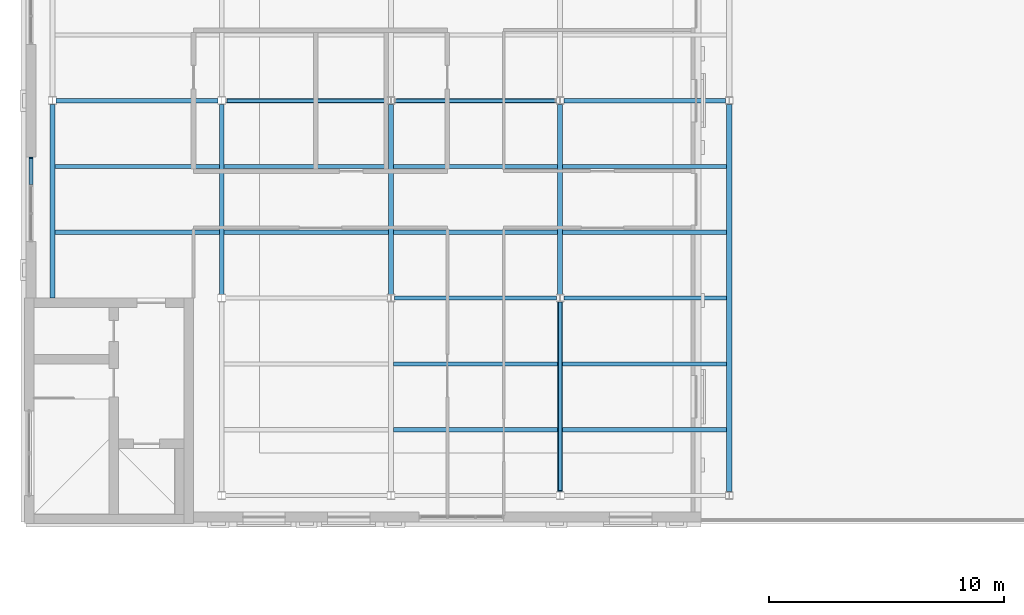
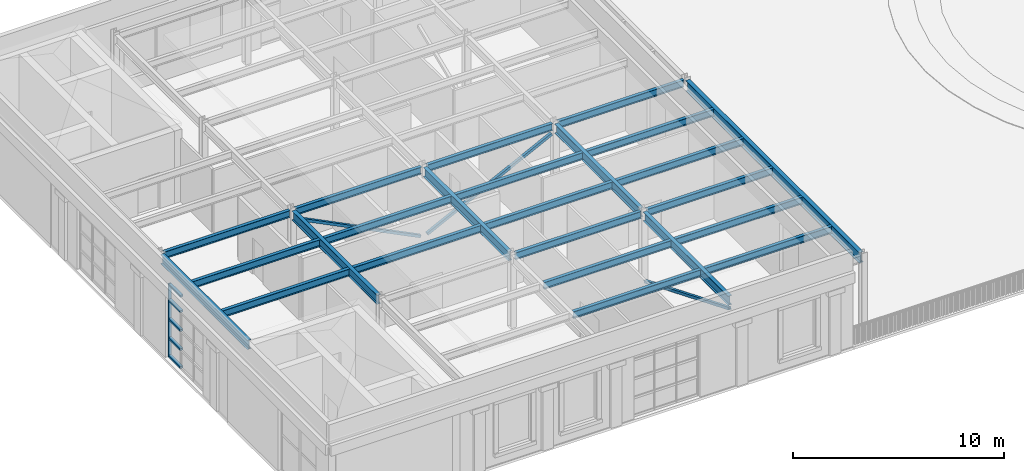
# One storey, part 4 of 127: 24 beams, 9 members, 1 element without a shape of its own.
"""IFC4 building model written with IfcOpenShell, lengths in metres."""

from ifc_helpers import new_model, si_unit, direction, frame, origin, origin_2d, place, context, subcontext, project, spatial, rectangle, hollow_rectangle, i_section, extrude, material, layer, layer_set, material_profile, profile_set, type_object, element, aggregate, save


model = new_model("IFC4")

# Units and contexts
model_context = context("Model", 3, precision=1e-05, world=origin(), true_north=direction((0.0, 1.0)))
body_context = subcontext(model_context, "Body", "Model", "MODEL_VIEW")
ifc_project = project(units=[si_unit("LENGTHUNIT", "METRE"), si_unit("AREAUNIT", "SQUARE_METRE"), si_unit("VOLUMEUNIT", "CUBIC_METRE"), si_unit("PLANEANGLEUNIT", "RADIAN"), si_unit("MASSUNIT", "GRAM", prefix="KILO")], contexts=[model_context])

# Site, building, storey
site_placement = place(None, origin())
site = spatial("IfcSite", under=ifc_project, at=site_placement, CompositionType="ELEMENT")
building_placement = place(site_placement, origin())
building = spatial("IfcBuilding", under=site, at=building_placement, Name="Verrick Yard Athletic Hall", CompositionType="ELEMENT")
storey_placement = place(building_placement, frame((0.0, 0.0, 14.0)))
storey = spatial("IfcBuildingStorey", under=building, at=storey_placement, Name="L03", CompositionType="ELEMENT", Elevation=14.0)

# Curtain wall, members
ifc_material_1 = material(Name="Anodised aluminium", Category="aluminium")
ifc_layer = layer(ifc_material_1, 0.199951171875)
ifc_layer_set = layer_set([ifc_layer], Name="Front glazing")
curtain_wall_type = type_object("IfcCurtainWallType", Name="Front glazing", PredefinedType="NOTDEFINED", material=ifc_layer_set)
curtain_wall_placement = place(storey_placement, origin())
curtain_wall = element("IfcCurtainWall", 1, at=curtain_wall_placement, inside=storey, type_object=curtain_wall_type, Name="ENVB-WW-L03-CW300", PredefinedType="NOTDEFINED")
ifc_material_profile_1 = material_profile(ifc_material_1, rectangle(XDim=0.159912109375, YDim=0.06005859375, at=origin_2d()), Name="CW mullion 60x160")
ifc_profile_set_1 = profile_set([ifc_material_profile_1], Name="Anodised aluminium")
member_type_1 = type_object("IfcMemberType", Name="Front glazing mullion 60x160", PredefinedType="MULLION", material=ifc_profile_set_1)
member_1_placement = place(storey_placement, frame((10.28125, 33.570068359375, 0.0), z_axis=(0.0, 0.0, 1.0), x_axis=(-1.0, 0.0, 0.0)))
member_1 = element("IfcMember", 2, at=member_1_placement, type_object=member_type_1, Name="ENVB-WW-L03-CW300/M03", PredefinedType="MULLION", context=body_context, shape_type="SweptSolid", body=[
    extrude(rectangle(XDim=0.159912109375, YDim=0.06005859375, at=origin_2d()), origin(), (0.0, 0.0, 1.0), 4.25),
])
ifc_material_profile_2 = material_profile(ifc_material_1, rectangle(XDim=0.159912109375, YDim=0.1201171875, at=origin_2d()), Name="CW transom 160x120")
ifc_profile_set_2 = profile_set([ifc_material_profile_2], Name="Anodised aluminium")
member_type_2 = type_object("IfcMemberType", Name="Front glazing transom 160x120", PredefinedType="USERDEFINED", material=ifc_profile_set_2)
member_2_placement = place(storey_placement, frame((10.28125, 32.429931640625, 0.06005859375), z_axis=(0.0, 1.0, 0.0), x_axis=(-1.0, 0.0, 0.0)))
member_2 = element("IfcMember", 3, at=member_2_placement, type_object=member_type_2, Name="ENVB-WW-L03-CW300/T02-00", ObjectType="TRANSOM", PredefinedType="USERDEFINED", context=body_context, shape_type="SweptSolid", body=[
    extrude(rectangle(XDim=0.159912109375, YDim=0.1201171875, at=origin_2d()), origin(), (0.0, 0.0, 1.0), 1.110107421875),
])
member_3_placement = place(storey_placement, frame((10.28125, 32.429931640625, 1.10009765625), z_axis=(0.0, 1.0, 0.0), x_axis=(-1.0, 0.0, 0.0)))
member_3 = element("IfcMember", 4, at=member_3_placement, type_object=member_type_2, Name="ENVB-WW-L03-CW300/T02-01", ObjectType="TRANSOM", PredefinedType="USERDEFINED", context=body_context, shape_type="SweptSolid", body=[
    extrude(rectangle(XDim=0.159912109375, YDim=0.1201171875, at=origin_2d()), origin(), (0.0, 0.0, 1.0), 1.110107421875),
])
member_4_placement = place(storey_placement, frame((10.28125, 32.429931640625, 2.199951171875), z_axis=(0.0, 1.0, 0.0), x_axis=(-1.0, 0.0, 0.0)))
member_4 = element("IfcMember", 5, at=member_4_placement, type_object=member_type_2, Name="ENVB-WW-L03-CW300/T02-02", ObjectType="TRANSOM", PredefinedType="USERDEFINED", context=body_context, shape_type="SweptSolid", body=[
    extrude(rectangle(XDim=0.159912109375, YDim=0.1201171875, at=origin_2d()), origin(), (0.0, 0.0, 1.0), 1.110107421875),
])
member_5_placement = place(storey_placement, frame((10.28125, 32.429931640625, 3.300048828125), z_axis=(0.0, 1.0, 0.0), x_axis=(-1.0, 0.0, 0.0)))
member_5 = element("IfcMember", 6, at=member_5_placement, type_object=member_type_2, Name="ENVB-WW-L03-CW300/T02-03", ObjectType="TRANSOM", PredefinedType="USERDEFINED", context=body_context, shape_type="SweptSolid", body=[
    extrude(rectangle(XDim=0.159912109375, YDim=0.1201171875, at=origin_2d()), origin(), (0.0, 0.0, 1.0), 1.110107421875),
])
member_6_placement = place(storey_placement, frame((10.28125, 32.429931640625, 4.18994140625), z_axis=(0.0, 1.0, 0.0), x_axis=(-1.0, 0.0, 0.0)))
member_6 = element("IfcMember", 7, at=member_6_placement, type_object=member_type_2, Name="ENVB-WW-L03-CW300/T02-04", ObjectType="TRANSOM", PredefinedType="USERDEFINED", context=body_context, shape_type="SweptSolid", body=[
    extrude(rectangle(XDim=0.159912109375, YDim=0.1201171875, at=origin_2d()), origin(), (0.0, 0.0, 1.0), 1.110107421875),
])
aggregate(curtain_wall, [member_1, member_2, member_3, member_4, member_5, member_6])

# Members
ifc_material_2 = material(Name="Structural steel HSS Class C 350W (CSA G40.20/G40.21)", Category="steel")
ifc_material_profile_3 = material_profile(ifc_material_2, hollow_rectangle(XDim=0.15234375, YDim=0.15234375, WallThickness=0.009521484375, at=origin_2d()), Name="HSS152x152x9.5")
ifc_profile_set_3 = profile_set([ifc_material_profile_3], Name="Structural steel HSS Class C 350W (CSA G40.20/G40.21)")
member_type_3 = type_object("IfcMemberType", Name="STR Wing brace HSS152x152x9.5", PredefinedType="BRACE", material=ifc_profile_set_3)
for number, where, z_axis, x_axis, name in (
    (8, (18.587646484375, 36.0, 3.62646484375), (0.894555158248, 0.0, -0.446957569409), (0.0, 1.0, 0.0), "STR-BR-W1-L03"),
    (9, (25.78759765625, 36.0, 0.216552734375), (0.894555158248, 0.0, 0.446957569409), (0.0, 1.0, 0.0), "STR-BR-W2-L03"),
):
    element("IfcMember", number, at=place(storey_placement, frame(where, z_axis=z_axis, x_axis=x_axis)), inside=storey, type_object=member_type_3, Name=name, PredefinedType="BRACE", context=body_context, shape_type="SweptSolid", body=[
        extrude(hollow_rectangle(XDim=0.15234375, YDim=0.15234375, WallThickness=0.009521484375, at=origin_2d()), origin(), (0.0, 0.0, 1.0), 7.629150390625),
    ])
member_7_placement = place(storey_placement, frame((32.800048828125, 19.389404296875, 3.50537109375), z_axis=(0.0, 0.925035720113, -0.379880134405), x_axis=(-1.0, 0.0, 0.0)))
element("IfcMember", 10, at=member_7_placement, inside=storey, type_object=member_type_3, Name="STR-BR-W3-L03", PredefinedType="BRACE", context=body_context, shape_type="SweptSolid", body=[
    extrude(hollow_rectangle(XDim=0.15234375, YDim=0.15234375, WallThickness=0.009521484375, at=origin_2d()), origin(), (0.0, 0.0, 1.0), 8.6708984375),
])

# Beams
ifc_material_3 = material(Name="Structural steel 350W (CSA G40.21)", Category="steel")
ifc_material_profile_4 = material_profile(ifc_material_3, i_section(OverallWidth=0.22802734375, OverallDepth=0.60791015625, WebThickness=0.01123046875, FlangeThickness=0.017333984375, at=origin_2d()), Name="W610x113")
ifc_profile_set_4 = profile_set([ifc_material_profile_4], Name="Structural steel 350W (CSA G40.21)")
beam_type_1 = type_object("IfcBeamType", Name="STR Wing edge girder W610x113", PredefinedType="BEAM", material=ifc_profile_set_4)
beam_1_placement = place(storey_placement, frame((40.0, 19.361572265625, 3.946044921875), z_axis=(0.0, 1.0, 0.0), x_axis=(-1.0, 0.0, 0.0)))
element("IfcBeam", 11, at=beam_1_placement, inside=storey, type_object=beam_type_1, Name="STR-GB-WER-1", PredefinedType="BEAM", context=body_context, shape_type="SweptSolid", body=[
    extrude(i_section(OverallWidth=0.22802734375, OverallDepth=0.60791015625, WebThickness=0.01123046875, FlangeThickness=0.017333984375, at=origin_2d()), origin(), (0.0, 0.0, 1.0), 16.476806640625),
])
ifc_material_profile_5 = material_profile(ifc_material_3, i_section(OverallWidth=0.177978515625, OverallDepth=0.406982421875, WebThickness=0.0078125, FlangeThickness=0.0126953125, at=origin_2d()), Name="W410x60")
ifc_profile_set_5 = profile_set([ifc_material_profile_5], Name="Structural steel 350W (CSA G40.21)")
beam_type_2 = type_object("IfcBeamType", Name="STR Wing floor beam W410x60", PredefinedType="BEAM", material=ifc_profile_set_5)
beam_2_placement = place(storey_placement, frame((25.75439453125, 27.60009765625, 4.04638671875), z_axis=(1.0, 0.0, 0.0), x_axis=(0.0, 1.0, 0.0)))
element("IfcBeam", 12, at=beam_2_placement, inside=storey, type_object=beam_type_2, Name="STR-B-W184-27.6-2", PredefinedType="BEAM", context=body_context, shape_type="SweptSolid", body=[
    extrude(i_section(OverallWidth=0.177978515625, OverallDepth=0.406982421875, WebThickness=0.0078125, FlangeThickness=0.0126953125, at=origin_2d()), origin(), (0.0, 0.0, 1.0), 6.89111328125),
])
beam_3_placement = place(storey_placement, frame((32.95458984375, 27.60009765625, 4.04638671875), z_axis=(1.0, 0.0, 0.0), x_axis=(0.0, 1.0, 0.0)))
element("IfcBeam", 13, at=beam_3_placement, inside=storey, type_object=beam_type_2, Name="STR-B-W184-27.6-3", PredefinedType="BEAM", context=body_context, shape_type="SweptSolid", body=[
    extrude(i_section(OverallWidth=0.177978515625, OverallDepth=0.406982421875, WebThickness=0.0078125, FlangeThickness=0.0126953125, at=origin_2d()), origin(), (0.0, 0.0, 1.0), 6.931396484375),
])
for number, where, z_axis, x_axis, name in (
    (14, (11.3544921875, 36.0, 4.04638671875), (1.0, 0.0, 0.0), (0.0, 1.0, 0.0), "STR-B-W184-36-1"),
    (15, (18.554443359375, 36.0, 4.04638671875), (1.0, 0.0, 0.0), (0.0, 1.0, 0.0), "STR-B-W184-36-2"),
    (16, (25.75439453125, 36.0, 4.04638671875), (1.0, 0.0, 0.0), (0.0, 1.0, 0.0), "STR-B-W184-36-3"),
):
    element("IfcBeam", number, at=place(storey_placement, frame(where, z_axis=z_axis, x_axis=x_axis)), inside=storey, type_object=beam_type_2, Name=name, PredefinedType="BEAM", context=body_context, shape_type="SweptSolid", body=[
        extrude(i_section(OverallWidth=0.177978515625, OverallDepth=0.406982421875, WebThickness=0.0078125, FlangeThickness=0.0126953125, at=origin_2d()), origin(), (0.0, 0.0, 1.0), 6.89111328125),
    ])
beam_4_placement = place(storey_placement, frame((32.95458984375, 36.0, 4.04638671875), z_axis=(1.0, 0.0, 0.0), x_axis=(0.0, 1.0, 0.0)))
element("IfcBeam", 17, at=beam_4_placement, inside=storey, type_object=beam_type_2, Name="STR-B-W184-36-4", PredefinedType="BEAM", context=body_context, shape_type="SweptSolid", body=[
    extrude(i_section(OverallWidth=0.177978515625, OverallDepth=0.406982421875, WebThickness=0.0078125, FlangeThickness=0.0126953125, at=origin_2d()), origin(), (0.0, 0.0, 1.0), 6.890869140625),
])
beam_5_placement = place(storey_placement, frame((25.70458984375, 22.0, 4.04638671875), z_axis=(1.0, 0.0, 0.0), x_axis=(0.0, 1.0, 0.0)))
element("IfcBeam", 18, at=beam_5_placement, inside=storey, type_object=beam_type_2, Name="STR-B-W184-22-2", PredefinedType="BEAM", context=body_context, shape_type="SweptSolid", body=[
    extrude(i_section(OverallWidth=0.177978515625, OverallDepth=0.406982421875, WebThickness=0.0078125, FlangeThickness=0.0126953125, at=origin_2d()), origin(), (0.0, 0.0, 1.0), 6.990966796875),
])
beam_6_placement = place(storey_placement, frame((32.904541015625, 22.0, 4.04638671875), z_axis=(1.0, 0.0, 0.0), x_axis=(0.0, 1.0, 0.0)))
element("IfcBeam", 19, at=beam_6_placement, inside=storey, type_object=beam_type_2, Name="STR-B-W184-22-3", PredefinedType="BEAM", context=body_context, shape_type="SweptSolid", body=[
    extrude(i_section(OverallWidth=0.177978515625, OverallDepth=0.406982421875, WebThickness=0.0078125, FlangeThickness=0.0126953125, at=origin_2d()), origin(), (0.0, 0.0, 1.0), 6.9814453125),
])
beam_7_placement = place(storey_placement, frame((25.70458984375, 24.800048828125, 4.04638671875), z_axis=(1.0, 0.0, 0.0), x_axis=(0.0, 1.0, 0.0)))
element("IfcBeam", 20, at=beam_7_placement, inside=storey, type_object=beam_type_2, Name="STR-B-W184-24.8-2", PredefinedType="BEAM", context=body_context, shape_type="SweptSolid", body=[
    extrude(i_section(OverallWidth=0.177978515625, OverallDepth=0.406982421875, WebThickness=0.0078125, FlangeThickness=0.0126953125, at=origin_2d()), origin(), (0.0, 0.0, 1.0), 6.990966796875),
])
beam_8_placement = place(storey_placement, frame((32.904541015625, 24.800048828125, 4.04638671875), z_axis=(1.0, 0.0, 0.0), x_axis=(0.0, 1.0, 0.0)))
element("IfcBeam", 21, at=beam_8_placement, inside=storey, type_object=beam_type_2, Name="STR-B-W184-24.8-3", PredefinedType="BEAM", context=body_context, shape_type="SweptSolid", body=[
    extrude(i_section(OverallWidth=0.177978515625, OverallDepth=0.406982421875, WebThickness=0.0078125, FlangeThickness=0.0126953125, at=origin_2d()), origin(), (0.0, 0.0, 1.0), 6.9814453125),
])
beam_9_placement = place(storey_placement, frame((11.304443359375, 30.39990234375, 4.04638671875), z_axis=(1.0, 0.0, 0.0), x_axis=(0.0, 1.0, 0.0)))
element("IfcBeam", 22, at=beam_9_placement, inside=storey, type_object=beam_type_2, Name="STR-B-W184-30.4-1", PredefinedType="BEAM", context=body_context, shape_type="SweptSolid", body=[
    extrude(i_section(OverallWidth=0.177978515625, OverallDepth=0.406982421875, WebThickness=0.0078125, FlangeThickness=0.0126953125, at=origin_2d()), origin(), (0.0, 0.0, 1.0), 6.990966796875),
])
beam_10_placement = place(storey_placement, frame((18.50439453125, 30.39990234375, 4.04638671875), z_axis=(1.0, 0.0, 0.0), x_axis=(0.0, 1.0, 0.0)))
element("IfcBeam", 23, at=beam_10_placement, inside=storey, type_object=beam_type_2, Name="STR-B-W184-30.4-2", PredefinedType="BEAM", context=body_context, shape_type="SweptSolid", body=[
    extrude(i_section(OverallWidth=0.177978515625, OverallDepth=0.406982421875, WebThickness=0.0078125, FlangeThickness=0.0126953125, at=origin_2d()), origin(), (0.0, 0.0, 1.0), 6.9912109375),
])
beam_11_placement = place(storey_placement, frame((25.70458984375, 30.39990234375, 4.04638671875), z_axis=(1.0, 0.0, 0.0), x_axis=(0.0, 1.0, 0.0)))
element("IfcBeam", 24, at=beam_11_placement, inside=storey, type_object=beam_type_2, Name="STR-B-W184-30.4-3", PredefinedType="BEAM", context=body_context, shape_type="SweptSolid", body=[
    extrude(i_section(OverallWidth=0.177978515625, OverallDepth=0.406982421875, WebThickness=0.0078125, FlangeThickness=0.0126953125, at=origin_2d()), origin(), (0.0, 0.0, 1.0), 6.990966796875),
])
beam_12_placement = place(storey_placement, frame((32.904541015625, 30.39990234375, 4.04638671875), z_axis=(1.0, 0.0, 0.0), x_axis=(0.0, 1.0, 0.0)))
element("IfcBeam", 25, at=beam_12_placement, inside=storey, type_object=beam_type_2, Name="STR-B-W184-30.4-4", PredefinedType="BEAM", context=body_context, shape_type="SweptSolid", body=[
    extrude(i_section(OverallWidth=0.177978515625, OverallDepth=0.406982421875, WebThickness=0.0078125, FlangeThickness=0.0126953125, at=origin_2d()), origin(), (0.0, 0.0, 1.0), 6.9814453125),
])
beam_13_placement = place(storey_placement, frame((11.304443359375, 33.199951171875, 4.04638671875), z_axis=(1.0, 0.0, 0.0), x_axis=(0.0, 1.0, 0.0)))
element("IfcBeam", 26, at=beam_13_placement, inside=storey, type_object=beam_type_2, Name="STR-B-W184-33.2-1", PredefinedType="BEAM", context=body_context, shape_type="SweptSolid", body=[
    extrude(i_section(OverallWidth=0.177978515625, OverallDepth=0.406982421875, WebThickness=0.0078125, FlangeThickness=0.0126953125, at=origin_2d()), origin(), (0.0, 0.0, 1.0), 6.990966796875),
])
beam_14_placement = place(storey_placement, frame((18.50439453125, 33.199951171875, 4.04638671875), z_axis=(1.0, 0.0, 0.0), x_axis=(0.0, 1.0, 0.0)))
element("IfcBeam", 27, at=beam_14_placement, inside=storey, type_object=beam_type_2, Name="STR-B-W184-33.2-2", PredefinedType="BEAM", context=body_context, shape_type="SweptSolid", body=[
    extrude(i_section(OverallWidth=0.177978515625, OverallDepth=0.406982421875, WebThickness=0.0078125, FlangeThickness=0.0126953125, at=origin_2d()), origin(), (0.0, 0.0, 1.0), 6.9912109375),
])
beam_15_placement = place(storey_placement, frame((25.70458984375, 33.199951171875, 4.04638671875), z_axis=(1.0, 0.0, 0.0), x_axis=(0.0, 1.0, 0.0)))
element("IfcBeam", 28, at=beam_15_placement, inside=storey, type_object=beam_type_2, Name="STR-B-W184-33.2-3", PredefinedType="BEAM", context=body_context, shape_type="SweptSolid", body=[
    extrude(i_section(OverallWidth=0.177978515625, OverallDepth=0.406982421875, WebThickness=0.0078125, FlangeThickness=0.0126953125, at=origin_2d()), origin(), (0.0, 0.0, 1.0), 6.990966796875),
])
beam_16_placement = place(storey_placement, frame((32.904541015625, 33.199951171875, 4.04638671875), z_axis=(1.0, 0.0, 0.0), x_axis=(0.0, 1.0, 0.0)))
element("IfcBeam", 29, at=beam_16_placement, inside=storey, type_object=beam_type_2, Name="STR-B-W184-33.2-4", PredefinedType="BEAM", context=body_context, shape_type="SweptSolid", body=[
    extrude(i_section(OverallWidth=0.177978515625, OverallDepth=0.406982421875, WebThickness=0.0078125, FlangeThickness=0.0126953125, at=origin_2d()), origin(), (0.0, 0.0, 1.0), 6.9814453125),
])
ifc_material_profile_6 = material_profile(ifc_material_3, i_section(OverallWidth=0.208984375, OverallDepth=0.532958984375, WebThickness=0.01025390625, FlangeThickness=0.015625, at=origin_2d()), Name="W530x92")
ifc_profile_set_6 = profile_set([ifc_material_profile_6], Name="Structural steel 350W (CSA G40.21)")
beam_type_3 = type_object("IfcBeamType", Name="STR Wing girder W530x92", PredefinedType="BEAM", material=ifc_profile_set_6)
beam_17_placement = place(storey_placement, frame((11.199951171875, 27.60009765625, 3.9833984375), z_axis=(0.0, 1.0, 0.0), x_axis=(-1.0, 0.0, 0.0)))
element("IfcBeam", 30, at=beam_17_placement, inside=storey, type_object=beam_type_3, Name="STR-GB-W184-11.2-1", PredefinedType="BEAM", context=body_context, shape_type="SweptSolid", body=[
    extrude(i_section(OverallWidth=0.208984375, OverallDepth=0.532958984375, WebThickness=0.01025390625, FlangeThickness=0.015625, at=origin_2d()), origin(), (0.0, 0.0, 1.0), 8.23828125),
])
for number, where, z_axis, x_axis, name in (
    (31, (18.39990234375, 27.761474609375, 3.9833984375), (0.0, 1.0, 0.0), (-1.0, 0.0, 0.0), "STR-GB-W184-18.4-2"),
    (32, (25.60009765625, 27.761474609375, 3.9833984375), (0.0, 1.0, 0.0), (-1.0, 0.0, 0.0), "STR-GB-W184-25.6-2"),
    (33, (32.800048828125, 19.361572265625, 3.9833984375), (0.0, 1.0, 0.0), (-1.0, 0.0, 0.0), "STR-GB-W184-32.8-1"),
    (34, (32.800048828125, 27.761474609375, 3.9833984375), (0.0, 1.0, 0.0), (-1.0, 0.0, 0.0), "STR-GB-W184-32.8-2"),
):
    element("IfcBeam", number, at=place(storey_placement, frame(where, z_axis=z_axis, x_axis=x_axis)), inside=storey, type_object=beam_type_3, Name=name, PredefinedType="BEAM", context=body_context, shape_type="SweptSolid", body=[
        extrude(i_section(OverallWidth=0.208984375, OverallDepth=0.532958984375, WebThickness=0.01025390625, FlangeThickness=0.015625, at=origin_2d()), origin(), (0.0, 0.0, 1.0), 8.076904296875),
    ])

save(model, "model.ifc")
